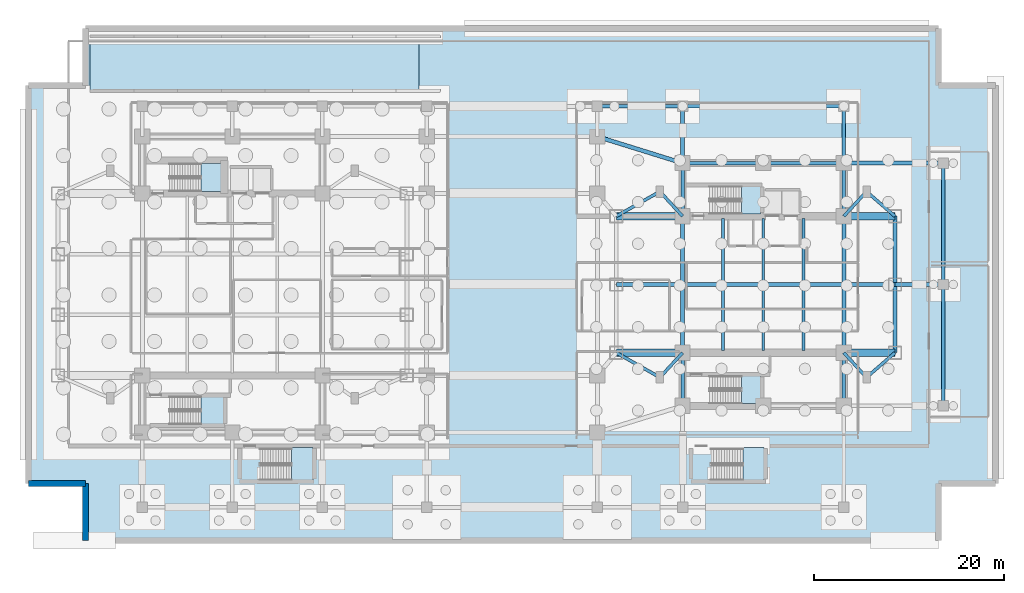
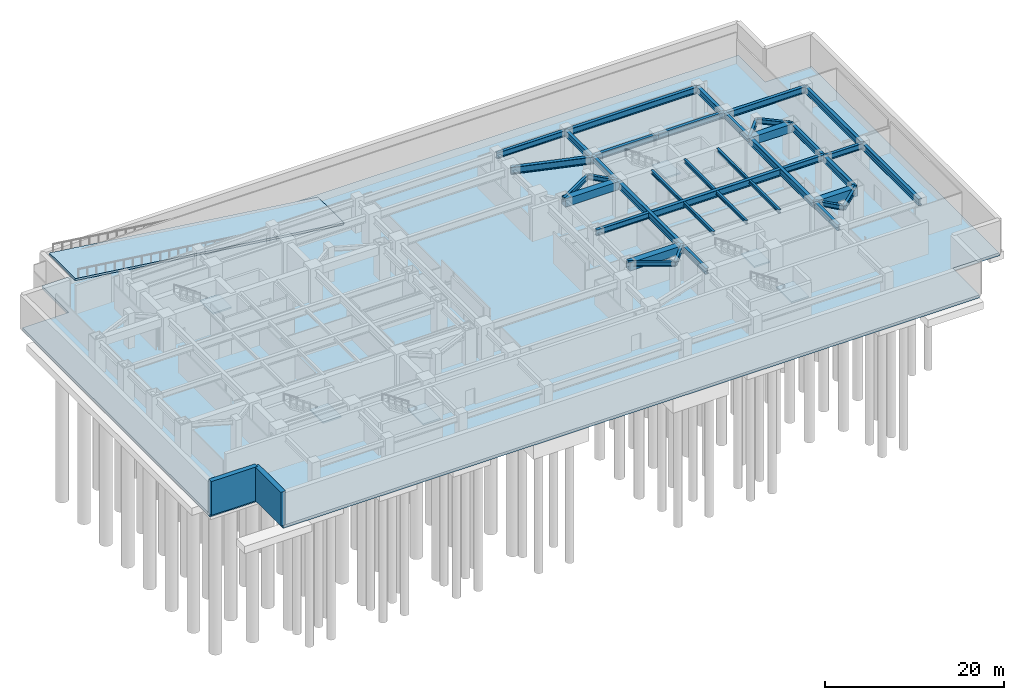
# One storey, part 4 of 16: 40 beams, 8 slabs, 2 walls, 6 elements without a shape of their own.
"""IFC4 building model written with IfcOpenShell, lengths in metres."""

from ifc_helpers import new_model, si_unit, direction, frame, frame_2d, origin, origin_2d, place, context, subcontext, project, spatial, polyline, rectangle, i_section, outline, extrude, material, layer, layer_set, material_profile, profile_set, type_object, element, aggregate, save


model = new_model("IFC4")

# Units and contexts
model_context = context("Model", 3, precision=1e-05, world=origin(), true_north=direction((0.0, 1.0)))
body_context = subcontext(model_context, "Body", "Model", "MODEL_VIEW")
ifc_project = project(units=[si_unit("LENGTHUNIT", "METRE"), si_unit("AREAUNIT", "SQUARE_METRE"), si_unit("VOLUMEUNIT", "CUBIC_METRE"), si_unit("PLANEANGLEUNIT", "RADIAN"), si_unit("MASSUNIT", "GRAM", prefix="KILO")], contexts=[model_context])

# Site, building, storey
site_placement = place(None, origin())
site = spatial("IfcSite", under=ifc_project, at=site_placement, CompositionType="ELEMENT")
building_placement = place(site_placement, origin())
building = spatial("IfcBuilding", under=site, at=building_placement, Name="Mirazonda Arch Towers", CompositionType="ELEMENT")
storey_placement = place(building_placement, frame((0.0, 0.0, -4.800048828125)))
storey = spatial("IfcBuildingStorey", under=building, at=storey_placement, Name="B1", CompositionType="ELEMENT", Elevation=-4.800048828125)

# Beams
ifc_material_1 = material(Name="Steel ASTM A992 Grade 50", Category="steel")
ifc_material_profile_1 = material_profile(ifc_material_1, i_section(OverallWidth=0.381103515625, OverallDepth=0.77294921875, WebThickness=0.0166015625, FlangeThickness=0.027099609375, at=origin_2d()), Name="W30X173")
ifc_profile_set_1 = profile_set([ifc_material_profile_1], Name="Steel ASTM A992 Grade 50")
beam_type_1 = type_object("IfcBeamType", Name="BM-EXT-W30X173", PredefinedType="USERDEFINED", material=ifc_profile_set_1)
beam_1_placement = place(storey_placement, frame((59.0, 46.800048828125, 3.91357421875), z_axis=(1.0, 0.0, 0.0), x_axis=(0.0, 1.0, 0.0)))
element("IfcBeam", 1, at=beam_1_placement, inside=storey, type_object=beam_type_1, Name="B1 Floor Beam BM-POD-B1-PN-4", ObjectType="GIRDER", PredefinedType="USERDEFINED", context=body_context, shape_type="SweptSolid", body=[
    extrude(i_section(OverallWidth=0.381103515625, OverallDepth=0.77294921875, WebThickness=0.0166015625, FlangeThickness=0.027099609375, at=origin_2d()), origin(), (0.0, 0.0, 1.0), 9.0),
])
ifc_material_profile_2 = material_profile(ifc_material_1, i_section(OverallWidth=0.39990234375, OverallDepth=0.85595703125, WebThickness=0.018310546875, FlangeThickness=0.029296875, at=origin_2d()), Name="W33X201")
ifc_profile_set_2 = profile_set([ifc_material_profile_2], Name="Steel ASTM A992 Grade 50")
beam_type_2 = type_object("IfcBeamType", Name="BM-EXT-W33X201", PredefinedType="USERDEFINED", material=ifc_profile_set_2)
for number, where, z_axis, x_axis, name in (
    (2, (90.39990234375, 20.800048828125, 4.052001953125), (0.0, 1.0, 0.0), (-1.0, 0.0, 0.0), "B1 Floor Beam BM-T2-B1-NS-E-20"),
    (3, (90.39990234375, 28.0, 4.052001953125), (0.0, 1.0, 0.0), (-1.0, 0.0, 0.0), "B1 Floor Beam BM-T2-B1-NS-E-28"),
):
    element("IfcBeam", number, at=place(storey_placement, frame(where, z_axis=z_axis, x_axis=x_axis)), inside=storey, type_object=beam_type_2, Name=name, ObjectType="GIRDER", PredefinedType="USERDEFINED", context=body_context, shape_type="SweptSolid", body=[
        extrude(i_section(OverallWidth=0.39990234375, OverallDepth=0.85595703125, WebThickness=0.018310546875, FlangeThickness=0.029296875, at=origin_2d()), origin(), (0.0, 0.0, 1.0), 7.199951171875),
    ])
beam_2_placement = place(storey_placement, frame((68.0, 46.800048828125, 3.8720703125), z_axis=(1.0, 0.0, 0.0), x_axis=(0.0, 1.0, 0.0)))
element("IfcBeam", 4, at=beam_2_placement, inside=storey, type_object=beam_type_2, Name="B1 Floor Beam BM-POD-B1-PN-5", ObjectType="GIRDER", PredefinedType="USERDEFINED", context=body_context, shape_type="SweptSolid", body=[
    extrude(i_section(OverallWidth=0.39990234375, OverallDepth=0.85595703125, WebThickness=0.018310546875, FlangeThickness=0.029296875, at=origin_2d()), origin(), (0.0, 0.0, 1.0), 17.0),
])
for number, where, z_axis, x_axis, name in (
    (5, (95.5, 15.199951171875, 3.8720703125), (0.0, 1.0, 0.0), (-1.0, 0.0, 0.0), "B1 Floor Beam BM-POD-B1-PE-1"),
    (6, (95.5, 28.0, 3.8720703125), (0.0, 1.0, 0.0), (-1.0, 0.0, 0.0), "B1 Floor Beam BM-POD-B1-PE-2"),
):
    element("IfcBeam", number, at=place(storey_placement, frame(where, z_axis=z_axis, x_axis=x_axis)), inside=storey, type_object=beam_type_2, Name=name, ObjectType="GIRDER", PredefinedType="USERDEFINED", context=body_context, shape_type="SweptSolid", body=[
        extrude(i_section(OverallWidth=0.39990234375, OverallDepth=0.85595703125, WebThickness=0.018310546875, FlangeThickness=0.029296875, at=origin_2d()), origin(), (0.0, 0.0, 1.0), 12.800048828125),
    ])
ifc_material_profile_3 = material_profile(ifc_material_1, i_section(OverallWidth=0.280029296875, OverallDepth=0.462890625, WebThickness=0.0107421875, FlangeThickness=0.017333984375, at=origin_2d()), Name="W18X76")
ifc_profile_set_3 = profile_set([ifc_material_profile_3], Name="Steel ASTM A992 Grade 50")
beam_type_3 = type_object("IfcBeamType", Name="BM-INT-W18X76", PredefinedType="JOIST", material=ifc_profile_set_3)
for number, where, z_axis, x_axis, name in (
    (7, (72.25, 21.0400390625, 4.24853515625), (0.0, 1.0, 0.0), (-1.0, 0.0, 0.0), "B1 Floor Beam BM-T2-B1-J-722-20"),
    (8, (72.25, 28.205078125, 4.24853515625), (0.0, 1.0, 0.0), (-1.0, 0.0, 0.0), "B1 Floor Beam BM-T2-B1-J-722-28"),
    (9, (76.5, 21.0400390625, 4.24853515625), (0.0, 1.0, 0.0), (-1.0, 0.0, 0.0), "B1 Floor Beam BM-T2-B1-J-765-20"),
    (10, (76.5, 28.205078125, 4.24853515625), (0.0, 1.0, 0.0), (-1.0, 0.0, 0.0), "B1 Floor Beam BM-T2-B1-J-765-28"),
    (11, (80.75, 21.0400390625, 4.24853515625), (0.0, 1.0, 0.0), (-1.0, 0.0, 0.0), "B1 Floor Beam BM-T2-B1-J-807-20"),
    (12, (80.75, 28.205078125, 4.24853515625), (0.0, 1.0, 0.0), (-1.0, 0.0, 0.0), "B1 Floor Beam BM-T2-B1-J-807-28"),
):
    element("IfcBeam", number, at=place(storey_placement, frame(where, z_axis=z_axis, x_axis=x_axis)), inside=storey, type_object=beam_type_3, Name=name, PredefinedType="JOIST", context=body_context, shape_type="SweptSolid", body=[
        extrude(i_section(OverallWidth=0.280029296875, OverallDepth=0.462890625, WebThickness=0.0107421875, FlangeThickness=0.017333984375, at=origin_2d()), origin(), (0.0, 0.0, 1.0), 6.7548828125),
    ])
ifc_material_profile_4 = material_profile(ifc_material_1, i_section(OverallWidth=0.324951171875, OverallDepth=0.615966796875, WebThickness=0.013916015625, FlangeThickness=0.021484375, at=origin_2d()), Name="W24X117")
ifc_profile_set_4 = profile_set([ifc_material_profile_4], Name="Steel ASTM A992 Grade 50")
beam_type_4 = type_object("IfcBeamType", Name="BM-INT-W24X117", PredefinedType="BEAM", material=ifc_profile_set_4)
beam_3_placement = place(storey_placement, frame((65.60009765625, 18.199951171875, 4.172119140625), z_axis=(0.678251444854, 0.734829897019, 0.0), x_axis=(-0.734829897019, 0.678251444854, 0.0)))
element("IfcBeam", 13, at=beam_3_placement, inside=storey, type_object=beam_type_4, Name="B1 Floor Beam BM-T2-B1-PL-SW1", PredefinedType="BEAM", context=body_context, shape_type="SweptSolid", body=[
    extrude(i_section(OverallWidth=0.324951171875, OverallDepth=0.615966796875, WebThickness=0.013916015625, FlangeThickness=0.021484375, at=origin_2d()), origin(), (0.0, 0.0, 1.0), 3.538330078125),
])
beam_4_placement = place(storey_placement, frame((65.60009765625, 18.199951171875, 4.172119140625), z_axis=(-0.870559396632, 0.492063346467, 0.0), x_axis=(-0.492063346467, -0.870559396632, 0.0)))
element("IfcBeam", 14, at=beam_4_placement, inside=storey, type_object=beam_type_4, Name="B1 Floor Beam BM-T2-B1-PL-SW2", PredefinedType="BEAM", context=body_context, shape_type="SweptSolid", body=[
    extrude(i_section(OverallWidth=0.324951171875, OverallDepth=0.615966796875, WebThickness=0.013916015625, FlangeThickness=0.021484375, at=origin_2d()), origin(), (0.0, 0.0, 1.0), 5.2841796875),
])
beam_5_placement = place(storey_placement, frame((87.39990234375, 18.199951171875, 4.172119140625), z_axis=(-0.678251444854, 0.734829897019, 0.0), x_axis=(-0.734829897019, -0.678251444854, 0.0)))
element("IfcBeam", 15, at=beam_5_placement, inside=storey, type_object=beam_type_4, Name="B1 Floor Beam BM-T2-B1-PL-SE1", PredefinedType="BEAM", context=body_context, shape_type="SweptSolid", body=[
    extrude(i_section(OverallWidth=0.324951171875, OverallDepth=0.615966796875, WebThickness=0.013916015625, FlangeThickness=0.021484375, at=origin_2d()), origin(), (0.0, 0.0, 1.0), 3.538330078125),
])
beam_6_placement = place(storey_placement, frame((87.39990234375, 18.199951171875, 4.172119140625), z_axis=(0.755676908098, 0.654944585876, 0.0), x_axis=(-0.654944585876, 0.755676908098, 0.0)))
element("IfcBeam", 16, at=beam_6_placement, inside=storey, type_object=beam_type_4, Name="B1 Floor Beam BM-T2-B1-PL-SE2", PredefinedType="BEAM", context=body_context, shape_type="SweptSolid", body=[
    extrude(i_section(OverallWidth=0.324951171875, OverallDepth=0.615966796875, WebThickness=0.013916015625, FlangeThickness=0.021484375, at=origin_2d()), origin(), (0.0, 0.0, 1.0), 3.969970703125),
])
beam_7_placement = place(storey_placement, frame((65.60009765625, 37.800048828125, 4.172119140625), z_axis=(0.678251444854, -0.734829897019, 0.0), x_axis=(0.734829897019, 0.678251444854, 0.0)))
element("IfcBeam", 17, at=beam_7_placement, inside=storey, type_object=beam_type_4, Name="B1 Floor Beam BM-T2-B1-PL-NW1", PredefinedType="BEAM", context=body_context, shape_type="SweptSolid", body=[
    extrude(i_section(OverallWidth=0.324951171875, OverallDepth=0.615966796875, WebThickness=0.013916015625, FlangeThickness=0.021484375, at=origin_2d()), origin(), (0.0, 0.0, 1.0), 3.538330078125),
])
beam_8_placement = place(storey_placement, frame((65.60009765625, 37.800048828125, 4.172119140625), z_axis=(-0.870559396632, -0.492063346467, 0.0), x_axis=(0.492063346467, -0.870559396632, 0.0)))
element("IfcBeam", 18, at=beam_8_placement, inside=storey, type_object=beam_type_4, Name="B1 Floor Beam BM-T2-B1-PL-NW2", PredefinedType="BEAM", context=body_context, shape_type="SweptSolid", body=[
    extrude(i_section(OverallWidth=0.324951171875, OverallDepth=0.615966796875, WebThickness=0.013916015625, FlangeThickness=0.021484375, at=origin_2d()), origin(), (0.0, 0.0, 1.0), 5.2841796875),
])
beam_9_placement = place(storey_placement, frame((87.39990234375, 37.800048828125, 4.172119140625), z_axis=(-0.678251444854, -0.734829897019, 0.0), x_axis=(0.734829897019, -0.678251444854, 0.0)))
element("IfcBeam", 19, at=beam_9_placement, inside=storey, type_object=beam_type_4, Name="B1 Floor Beam BM-T2-B1-PL-NE1", PredefinedType="BEAM", context=body_context, shape_type="SweptSolid", body=[
    extrude(i_section(OverallWidth=0.324951171875, OverallDepth=0.615966796875, WebThickness=0.013916015625, FlangeThickness=0.021484375, at=origin_2d()), origin(), (0.0, 0.0, 1.0), 3.538330078125),
])
beam_10_placement = place(storey_placement, frame((87.39990234375, 37.800048828125, 4.172119140625), z_axis=(0.755676908098, -0.654944585876, 0.0), x_axis=(0.654944585876, 0.755676908098, 0.0)))
element("IfcBeam", 20, at=beam_10_placement, inside=storey, type_object=beam_type_4, Name="B1 Floor Beam BM-T2-B1-PL-NE2", PredefinedType="BEAM", context=body_context, shape_type="SweptSolid", body=[
    extrude(i_section(OverallWidth=0.324951171875, OverallDepth=0.615966796875, WebThickness=0.013916015625, FlangeThickness=0.021484375, at=origin_2d()), origin(), (0.0, 0.0, 1.0), 3.969970703125),
])
ifc_material_profile_5 = material_profile(ifc_material_1, i_section(OverallWidth=0.381103515625, OverallDepth=0.77294921875, WebThickness=0.0166015625, FlangeThickness=0.027099609375, at=origin_2d()), Name="W30X173")
ifc_profile_set_5 = profile_set([ifc_material_profile_5], Name="Steel ASTM A992 Grade 50")
beam_type_5 = type_object("IfcBeamType", Name="BM-INT-W30X173", PredefinedType="USERDEFINED", material=ifc_profile_set_5)
for number, where, z_axis, x_axis, name in (
    (21, (68.0, 40.800048828125, 4.093505859375), (1.0, 0.0, 0.0), (0.0, 1.0, 0.0), "B1 Floor Beam BM-T2-B1-CN1"),
    (22, (76.5, 40.800048828125, 4.093505859375), (1.0, 0.0, 0.0), (0.0, 1.0, 0.0), "B1 Floor Beam BM-T2-B1-CN2"),
):
    element("IfcBeam", number, at=place(storey_placement, frame(where, z_axis=z_axis, x_axis=x_axis)), inside=storey, type_object=beam_type_5, Name=name, ObjectType="GIRDER", PredefinedType="USERDEFINED", context=body_context, shape_type="SweptSolid", body=[
        extrude(i_section(OverallWidth=0.381103515625, OverallDepth=0.77294921875, WebThickness=0.0166015625, FlangeThickness=0.027099609375, at=origin_2d()), origin(), (0.0, 0.0, 1.0), 8.5),
    ])
for number, where, z_axis, x_axis, name in (
    (23, (68.0, 15.199951171875, 4.093505859375), (0.0, 1.0, 0.0), (-1.0, 0.0, 0.0), "B1 Floor Beam BM-T2-B1-CSW"),
    (24, (85.0, 15.199951171875, 4.093505859375), (0.0, 1.0, 0.0), (-1.0, 0.0, 0.0), "B1 Floor Beam BM-T2-B1-CSE"),
    (25, (68.0, 35.199951171875, 4.093505859375), (0.0, 1.0, 0.0), (-1.0, 0.0, 0.0), "B1 Floor Beam BM-T2-B1-CNW"),
    (26, (85.0, 35.199951171875, 4.093505859375), (0.0, 1.0, 0.0), (-1.0, 0.0, 0.0), "B1 Floor Beam BM-T2-B1-CNE"),
):
    element("IfcBeam", number, at=place(storey_placement, frame(where, z_axis=z_axis, x_axis=x_axis)), inside=storey, type_object=beam_type_5, Name=name, ObjectType="GIRDER", PredefinedType="USERDEFINED", context=body_context, shape_type="SweptSolid", body=[
        extrude(i_section(OverallWidth=0.381103515625, OverallDepth=0.77294921875, WebThickness=0.0166015625, FlangeThickness=0.027099609375, at=origin_2d()), origin(), (0.0, 0.0, 1.0), 5.60009765625),
    ])
beam_11_placement = place(storey_placement, frame((61.0, 28.0, 4.093505859375), z_axis=(1.0, 0.0, 0.0), x_axis=(0.0, 1.0, 0.0)))
element("IfcBeam", 27, at=beam_11_placement, inside=storey, type_object=beam_type_5, Name="B1 Floor Beam BM-T2-B1-GW2", ObjectType="GIRDER", PredefinedType="USERDEFINED", context=body_context, shape_type="SweptSolid", body=[
    extrude(i_section(OverallWidth=0.381103515625, OverallDepth=0.77294921875, WebThickness=0.0166015625, FlangeThickness=0.027099609375, at=origin_2d()), origin(), (0.0, 0.0, 1.0), 6.791015625),
])
beam_12_placement = place(storey_placement, frame((85.208984375, 28.0, 4.093505859375), z_axis=(1.0, 0.0, 0.0), x_axis=(0.0, 1.0, 0.0)))
element("IfcBeam", 28, at=beam_12_placement, inside=storey, type_object=beam_type_5, Name="B1 Floor Beam BM-T2-B1-GE2", ObjectType="GIRDER", PredefinedType="USERDEFINED", context=body_context, shape_type="SweptSolid", body=[
    extrude(i_section(OverallWidth=0.381103515625, OverallDepth=0.77294921875, WebThickness=0.0166015625, FlangeThickness=0.027099609375, at=origin_2d()), origin(), (0.0, 0.0, 1.0), 5.19091796875),
])
beam_13_placement = place(storey_placement, frame((90.39990234375, 28.0, 3.91357421875), z_axis=(1.0, 0.0, 0.0), x_axis=(0.0, 1.0, 0.0)))
element("IfcBeam", 29, at=beam_13_placement, inside=storey, type_object=beam_type_5, Name="B1 Floor Beam BM-POD-B1-PCE-2", ObjectType="GIRDER", PredefinedType="USERDEFINED", context=body_context, shape_type="SweptSolid", body=[
    extrude(i_section(OverallWidth=0.381103515625, OverallDepth=0.77294921875, WebThickness=0.0166015625, FlangeThickness=0.027099609375, at=origin_2d()), origin(), (0.0, 0.0, 1.0), 5.10009765625),
])
ifc_material_profile_6 = material_profile(ifc_material_1, i_section(OverallWidth=0.39990234375, OverallDepth=0.85595703125, WebThickness=0.018310546875, FlangeThickness=0.029296875, at=origin_2d()), Name="W33X201")
ifc_profile_set_6 = profile_set([ifc_material_profile_6], Name="Steel ASTM A992 Grade 50")
beam_type_6 = type_object("IfcBeamType", Name="BM-INT-W33X201", PredefinedType="USERDEFINED", material=ifc_profile_set_6)
for number, where, z_axis, x_axis, name in (
    (30, (68.0, 40.800048828125, 3.8720703125), (0.0, 1.0, 0.0), (-1.0, 0.0, 0.0), "B1 Floor Beam BM-POD-B1-PCN-6"),
    (31, (85.0, 40.800048828125, 3.8720703125), (0.0, 1.0, 0.0), (-1.0, 0.0, 0.0), "B1 Floor Beam BM-POD-B1-PCN-7"),
):
    element("IfcBeam", number, at=place(storey_placement, frame(where, z_axis=z_axis, x_axis=x_axis)), inside=storey, type_object=beam_type_6, Name=name, ObjectType="GIRDER", PredefinedType="USERDEFINED", context=body_context, shape_type="SweptSolid", body=[
        extrude(i_section(OverallWidth=0.39990234375, OverallDepth=0.85595703125, WebThickness=0.018310546875, FlangeThickness=0.029296875, at=origin_2d()), origin(), (0.0, 0.0, 1.0), 6.0),
    ])
beam_14_placement = place(storey_placement, frame((85.0, 40.800048828125, 3.8720703125), z_axis=(1.0, 0.0, 0.0), x_axis=(0.0, 1.0, 0.0)))
element("IfcBeam", 32, at=beam_14_placement, inside=storey, type_object=beam_type_6, Name="B1 Floor Beam BM-POD-B1-PCE-3", ObjectType="GIRDER", PredefinedType="USERDEFINED", context=body_context, shape_type="SweptSolid", body=[
    extrude(i_section(OverallWidth=0.39990234375, OverallDepth=0.85595703125, WebThickness=0.018310546875, FlangeThickness=0.029296875, at=origin_2d()), origin(), (0.0, 0.0, 1.0), 10.5),
])
ifc_material_profile_7 = material_profile(ifc_material_1, i_section(OverallWidth=0.41796875, OverallDepth=0.927001953125, WebThickness=0.019287109375, FlangeThickness=0.031982421875, at=origin_2d()), Name="W36X231")
ifc_profile_set_7 = profile_set([ifc_material_profile_7], Name="Steel ASTM A992 Grade 50")
beam_type_7 = type_object("IfcBeamType", Name="BM-INT-W36X231", PredefinedType="USERDEFINED", material=ifc_profile_set_7)
beam_15_placement = place(storey_placement, frame((68.208984375, 28.0, 4.0166015625), z_axis=(1.0, 0.0, 0.0), x_axis=(0.0, 1.0, 0.0)))
element("IfcBeam", 33, at=beam_15_placement, inside=storey, type_object=beam_type_7, Name="B1 Floor Beam BM-T2-B1-GC2", ObjectType="GIRDER", PredefinedType="USERDEFINED", context=body_context, shape_type="SweptSolid", body=[
    extrude(i_section(OverallWidth=0.41796875, OverallDepth=0.927001953125, WebThickness=0.019287109375, FlangeThickness=0.031982421875, at=origin_2d()), origin(), (0.0, 0.0, 1.0), 16.58203125),
])
for number, where, z_axis, x_axis, name in (
    (34, (68.0, 20.800048828125, 4.0166015625), (0.0, 1.0, 0.0), (-1.0, 0.0, 0.0), "B1 Floor Beam BM-T2-B1-NS-CW-FULL"),
    (35, (85.0, 20.800048828125, 4.0166015625), (0.0, 1.0, 0.0), (-1.0, 0.0, 0.0), "B1 Floor Beam BM-T2-B1-NS-CE-FULL"),
):
    element("IfcBeam", number, at=place(storey_placement, frame(where, z_axis=z_axis, x_axis=x_axis)), inside=storey, type_object=beam_type_7, Name=name, ObjectType="GIRDER", PredefinedType="USERDEFINED", context=body_context, shape_type="SweptSolid", body=[
        extrude(i_section(OverallWidth=0.41796875, OverallDepth=0.927001953125, WebThickness=0.019287109375, FlangeThickness=0.031982421875, at=origin_2d()), origin(), (0.0, 0.0, 1.0), 14.39990234375),
    ])
ifc_material_profile_8 = material_profile(ifc_material_1, i_section(OverallWidth=0.423095703125, OverallDepth=0.947998046875, WebThickness=0.02392578125, FlangeThickness=0.042724609375, at=origin_2d()), Name="W36X302")
ifc_profile_set_8 = profile_set([ifc_material_profile_8], Name="Steel ASTM A992 Grade 50")
beam_type_8 = type_object("IfcBeamType", Name="BM-INT-W36X302", PredefinedType="USERDEFINED", material=ifc_profile_set_8)
beam_16_placement = place(storey_placement, frame((59.0, 43.60009765625, 3.825927734375), z_axis=(0.954855306861, -0.29707127589, 0.0), x_axis=(0.29707127589, 0.954855306861, 0.0)))
element("IfcBeam", 36, at=beam_16_placement, inside=storey, type_object=beam_type_8, Name="B1 Floor Beam BM-POD-B1-PA-E4", ObjectType="GIRDER", PredefinedType="USERDEFINED", context=body_context, shape_type="SweptSolid", body=[
    extrude(i_section(OverallWidth=0.423095703125, OverallDepth=0.947998046875, WebThickness=0.02392578125, FlangeThickness=0.042724609375, at=origin_2d()), origin(), (0.0, 0.0, 1.0), 9.425537109375),
])
ifc_material_2 = material(Name="Concrete C60/75", Category="concrete")
ifc_material_profile_9 = material_profile(ifc_material_2, rectangle(XDim=0.800048828125, YDim=1.10009765625, at=origin_2d()), Name="RCCB800x1100")
ifc_profile_set_9 = profile_set([ifc_material_profile_9], Name="Concrete C60/75")
beam_type_9 = type_object("IfcBeamType", Name="CB-INT-RCCB800x1100", PredefinedType="SPANDREL", material=ifc_profile_set_9)
beam_17_placement = place(storey_placement, frame((61.0, 35.199951171875, 3.929931640625), z_axis=(1.0, 0.0, 0.0), x_axis=(0.0, 1.0, 0.0)))
element("IfcBeam", 37, at=beam_17_placement, inside=storey, type_object=beam_type_9, Name="B1 Floor Beam CB-T2-B1-NW", PredefinedType="SPANDREL", context=body_context, shape_type="SweptSolid", body=[
    extrude(rectangle(XDim=0.800048828125, YDim=1.10009765625, at=origin_2d()), origin(), (0.0, 0.0, 1.0), 7.0),
])
beam_18_placement = place(storey_placement, frame((85.0, 35.199951171875, 3.929931640625), z_axis=(1.0, 0.0, 0.0), x_axis=(0.0, 1.0, 0.0)))
element("IfcBeam", 38, at=beam_18_placement, inside=storey, type_object=beam_type_9, Name="B1 Floor Beam CB-T2-B1-NE", PredefinedType="SPANDREL", context=body_context, shape_type="SweptSolid", body=[
    extrude(rectangle(XDim=0.800048828125, YDim=1.10009765625, at=origin_2d()), origin(), (0.0, 0.0, 1.0), 5.39990234375),
])
beam_19_placement = place(storey_placement, frame((61.0, 20.800048828125, 3.929931640625), z_axis=(1.0, 0.0, 0.0), x_axis=(0.0, 1.0, 0.0)))
element("IfcBeam", 39, at=beam_19_placement, inside=storey, type_object=beam_type_9, Name="B1 Floor Beam CB-T2-B1-SW", PredefinedType="SPANDREL", context=body_context, shape_type="SweptSolid", body=[
    extrude(rectangle(XDim=0.800048828125, YDim=1.10009765625, at=origin_2d()), origin(), (0.0, 0.0, 1.0), 7.0),
])
beam_20_placement = place(storey_placement, frame((85.0, 20.800048828125, 3.929931640625), z_axis=(1.0, 0.0, 0.0), x_axis=(0.0, 1.0, 0.0)))
element("IfcBeam", 40, at=beam_20_placement, inside=storey, type_object=beam_type_9, Name="B1 Floor Beam CB-T2-B1-SE", PredefinedType="SPANDREL", context=body_context, shape_type="SweptSolid", body=[
    extrude(rectangle(XDim=0.800048828125, YDim=1.10009765625, at=origin_2d()), origin(), (0.0, 0.0, 1.0), 5.39990234375),
])

# Slab
ifc_material_3 = material(Name="Concrete C50/60", Category="concrete")
ifc_layer_1 = layer(ifc_material_3, 0.39990234375, Name="SLAB-BSMT-BASE-400")
ifc_layer_set_1 = layer_set([ifc_layer_1], Name="Concrete C50/60")
slab_type_1 = type_object("IfcSlabType", Name="SLAB-BSMT-BASE-400", PredefinedType="BASESLAB", material=ifc_layer_set_1)
slab_1_placement = place(storey_placement, frame((0.0, 0.0, -0.39990234375)))
element("IfcSlab", 41, at=slab_1_placement, inside=storey, type_object=slab_type_1, Name="B1 Tanked Structural Base Slab", PredefinedType="BASESLAB", context=body_context, shape_type="SweptSolid", body=[
    extrude(outline(polyline([(95.0, 1.0), (95.0, 7.0), (101.0, 7.0), (101.0, 49.0), (95.0, 49.0), (95.0, 55.0), (5.0, 55.0), (5.0, 49.0), (-1.0, 49.0), (-1.0, 7.0), (5.0, 7.0), (5.0, 1.0), (95.0, 1.0)])), origin(), (0.0, 0.0, 1.0), 0.39990234375),
])

# Stair, slab
ifc_material_4 = material(Name="Concrete C40/50", Category="concrete")
stair_type_1 = type_object("IfcStairType", Name="STAIR-CORE-1400", PredefinedType="HALF_TURN_STAIR", material=ifc_material_4)
stair_1_placement = place(storey_placement, origin())
stair_1 = element("IfcStair", 42, at=stair_1_placement, inside=storey, type_object=stair_type_1, Name="B1 Protected Exit Stair ST-T1N", PredefinedType="HALF_TURN_STAIR")
ifc_layer_2 = layer(ifc_material_4, 0.18994140625, Name="SLAB-LANDING-190")
ifc_layer_set_2 = layer_set([ifc_layer_2], Name="Concrete C40/50")
slab_type_2 = type_object("IfcSlabType", Name="SLAB-LANDING-190", PredefinedType="LANDING", material=ifc_layer_set_2)
slab_2_placement = place(storey_placement, frame((0.0, 0.0, 2.199951171875)))
slab_2 = element("IfcSlab", 43, at=slab_2_placement, type_object=slab_type_2, Name="ST-T1N landing 1", PredefinedType="LANDING", context=body_context, shape_type="SweptSolid", body=[
    extrude(outline(polyline([(17.2099609375, 37.820068359375), (19.60009765625, 37.820068359375), (19.60009765625, 40.760009765625), (17.2099609375, 40.760009765625), (17.2099609375, 37.820068359375)])), origin(), (0.0, 0.0, 1.0), 0.2001953125),
])
aggregate(stair_1, [slab_2])

stair_2_placement = place(storey_placement, origin())
stair_2 = element("IfcStair", 44, at=stair_2_placement, inside=storey, type_object=stair_type_1, Name="B1 Protected Exit Stair ST-T1S", PredefinedType="HALF_TURN_STAIR")
slab_3_placement = place(storey_placement, frame((0.0, 0.0, 2.199951171875)))
slab_3 = element("IfcSlab", 45, at=slab_3_placement, type_object=slab_type_2, Name="ST-T1S landing 1", PredefinedType="LANDING", context=body_context, shape_type="SweptSolid", body=[
    extrude(outline(polyline([(17.2099609375, 13.25), (19.60009765625, 13.25), (19.60009765625, 16.18994140625), (17.2099609375, 16.18994140625), (17.2099609375, 13.25)])), origin(), (0.0, 0.0, 1.0), 0.2001953125),
])
aggregate(stair_2, [slab_3])

stair_3_placement = place(storey_placement, origin())
stair_3 = element("IfcStair", 46, at=stair_3_placement, inside=storey, type_object=stair_type_1, Name="B1 Protected Exit Stair ST-T2N", PredefinedType="HALF_TURN_STAIR")
slab_4_placement = place(storey_placement, frame((0.0, 0.0, 2.199951171875)))
slab_4 = element("IfcSlab", 47, at=slab_4_placement, type_object=slab_type_2, Name="ST-T2N landing 1", PredefinedType="LANDING", context=body_context, shape_type="SweptSolid", body=[
    extrude(outline(polyline([(74.2099609375, 35.419921875), (76.22998046875, 35.419921875), (76.22998046875, 38.360107421875), (74.2099609375, 38.360107421875), (74.2099609375, 35.419921875)])), origin(), (0.0, 0.0, 1.0), 0.2001953125),
])
aggregate(stair_3, [slab_4])

stair_4_placement = place(storey_placement, origin())
stair_4 = element("IfcStair", 48, at=stair_4_placement, inside=storey, type_object=stair_type_1, Name="B1 Protected Exit Stair ST-T2S", PredefinedType="HALF_TURN_STAIR")
slab_5_placement = place(storey_placement, frame((0.0, 0.0, 2.199951171875)))
slab_5 = element("IfcSlab", 49, at=slab_5_placement, type_object=slab_type_2, Name="ST-T2S landing 1", PredefinedType="LANDING", context=body_context, shape_type="SweptSolid", body=[
    extrude(outline(polyline([(74.2099609375, 15.419921875), (76.22998046875, 15.419921875), (76.22998046875, 18.360107421875), (74.2099609375, 18.360107421875), (74.2099609375, 15.419921875)])), origin(), (0.0, 0.0, 1.0), 0.2001953125),
])
aggregate(stair_4, [slab_5])

stair_type_2 = type_object("IfcStairType", Name="STAIR-POD-1600", PredefinedType="HALF_TURN_STAIR", material=ifc_material_4)
stair_5_placement = place(storey_placement, origin())
stair_5 = element("IfcStair", 50, at=stair_5_placement, inside=storey, type_object=stair_type_2, Name="B1 Protected Exit Stair ST-POD1", PredefinedType="HALF_TURN_STAIR")
slab_6_placement = place(storey_placement, frame((0.0, 0.0, 2.199951171875)))
slab_6 = element("IfcSlab", 51, at=slab_6_placement, type_object=slab_type_2, Name="ST-POD1 landing 1", PredefinedType="LANDING", context=body_context, shape_type="SweptSolid", body=[
    extrude(outline(polyline([(26.760009765625, 7.35009765625), (29.0, 7.35009765625), (29.0, 10.800048828125), (26.760009765625, 10.800048828125), (26.760009765625, 7.35009765625)])), origin(), (0.0, 0.0, 1.0), 0.2001953125),
])
aggregate(stair_5, [slab_6])

stair_6_placement = place(storey_placement, origin())
stair_6 = element("IfcStair", 52, at=stair_6_placement, inside=storey, type_object=stair_type_2, Name="B1 Protected Exit Stair ST-POD2", PredefinedType="HALF_TURN_STAIR")
slab_7_placement = place(storey_placement, frame((0.0, 0.0, 2.199951171875)))
slab_7 = element("IfcSlab", 53, at=slab_7_placement, type_object=slab_type_2, Name="ST-POD2 landing 1", PredefinedType="LANDING", context=body_context, shape_type="SweptSolid", body=[
    extrude(outline(polyline([(74.360107421875, 7.35009765625), (76.60009765625, 7.35009765625), (76.60009765625, 10.800048828125), (74.360107421875, 10.800048828125), (74.360107421875, 7.35009765625)])), origin(), (0.0, 0.0, 1.0), 0.2001953125),
])
aggregate(stair_6, [slab_7])

# Slab
ifc_material_5 = material(Name="Concrete C45/55", Category="concrete")
ifc_layer_3 = layer(ifc_material_5, 0.280029296875, Name="SLAB-VEHRAMP-280")
ifc_layer_set_3 = layer_set([ifc_layer_3], Name="Concrete C45/55")
slab_type_3 = type_object("IfcSlabType", Name="SLAB-VEHRAMP-280", PredefinedType="FLOOR", material=ifc_layer_set_3)
slab_8_placement = place(storey_placement, frame((40.208984375, 48.39990234375, 0.28515625), z_axis=(0.128991779062, 0.0, 0.991645662994), x_axis=(-0.991645662994, 0.0, 0.128991779062)))
element("IfcSlab", 54, at=slab_8_placement, inside=storey, type_object=slab_type_3, Name="B1-to-L00 Two-Way Car-Park Structural Concrete Vehicle Ramp Slab (1:8)", PredefinedType="FLOOR", context=body_context, shape_type="SweptSolid", body=[
    extrude(outline(polyline([(0.0, 0.0), (35.00139784831461, 0.0), (35.00139784831461, -5.800048828125001), (0.0, -5.800048828125001), (0.0, 0.0)])), origin(), (0.0, 0.0, -1.0), 0.280029296875),
])

# Walls
ifc_layer_4 = layer(ifc_material_3, 0.60009765625, Name="WALL-BSMT-RET-600")
ifc_layer_set_4 = layer_set([ifc_layer_4], Name="Concrete C50/60")
wall_type = type_object("IfcWallType", Name="WALL-BSMT-RET-600", PredefinedType="USERDEFINED", material=ifc_layer_set_4)
for number, where, z_axis, x_axis, name in (
    (55, (-1.0, 7.0, 0.0), (0.0, 0.0, 1.0), (1.0, 0.0, 0.0), "B1 Perimeter Retaining Wall 11"),
    (56, (5.0, 7.0, 0.0), (0.0, 0.0, 1.0), (0.0, -1.0, 0.0), "B1 Perimeter Retaining Wall 12"),
):
    element("IfcWall", number, at=place(storey_placement, frame(where, z_axis=z_axis, x_axis=x_axis)), inside=storey, type_object=wall_type, Name=name, ObjectType="RETAININGWALL", PredefinedType="USERDEFINED", context=body_context, shape_type="SweptSolid", body=[
        extrude(rectangle(XDim=6.0, YDim=0.60009765625, at=frame_2d((3.0, 0.0))), origin(), (0.0, 0.0, 1.0), 4.6201171875),
    ])

save(model, "model.ifc")
